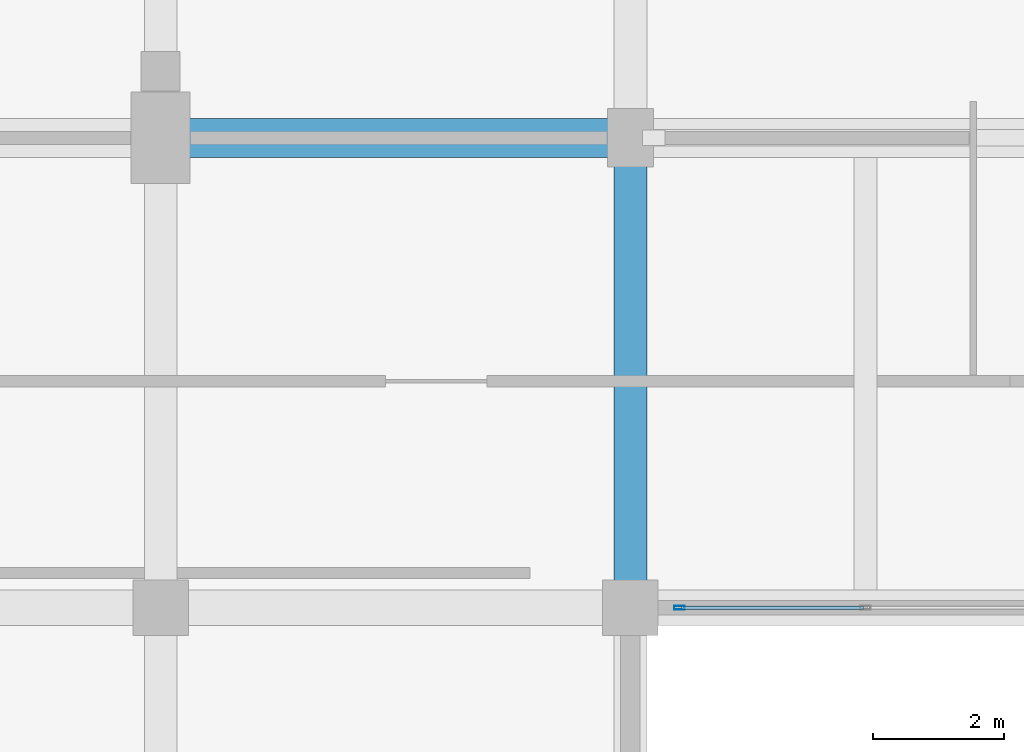
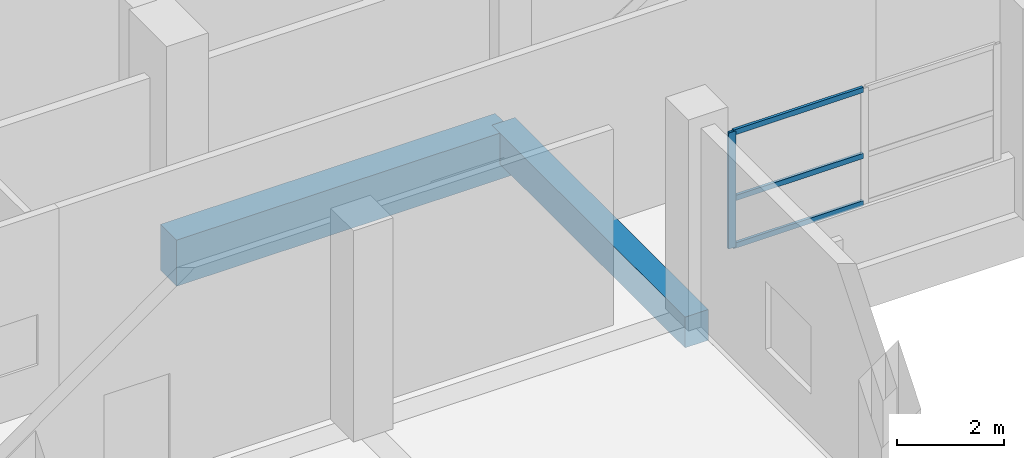
# One storey, part 94 of 181: 4 members, 2 beams, 1 element without a shape of its own.
"""IFC4 building model written with IfcOpenShell, lengths in metres."""

from ifc_helpers import new_model, si_unit, direction, frame, origin, origin_2d, place, context, subcontext, project, spatial, rectangle, hollow_rectangle, extrude, material, layer, layer_set, material_profile, profile_set, type_object, element, aggregate, save


model = new_model("IFC4")

# Units and contexts
model_context = context("Model", 3, precision=1e-05, world=origin(), true_north=direction((0.0, 1.0)))
body_context = subcontext(model_context, "Body", "Model", "MODEL_VIEW")
ifc_project = project(units=[si_unit("LENGTHUNIT", "METRE"), si_unit("AREAUNIT", "SQUARE_METRE"), si_unit("VOLUMEUNIT", "CUBIC_METRE"), si_unit("PLANEANGLEUNIT", "RADIAN"), si_unit("MASSUNIT", "GRAM", prefix="KILO")], contexts=[model_context])

# Site, building, storey
site_placement = place(None, origin())
site = spatial("IfcSite", under=ifc_project, at=site_placement, CompositionType="ELEMENT")
building_placement = place(site_placement, origin())
building = spatial("IfcBuilding", under=site, at=building_placement, Name="Seraya Terrace Polytechnic", CompositionType="ELEMENT")
storey_placement = place(building_placement, frame((0.0, 0.0, 4.800048828125)))
storey = spatial("IfcBuildingStorey", under=building, at=storey_placement, Name="L01", CompositionType="ELEMENT", Elevation=4.800048828125)

# Beams
ifc_material_1 = material(Name="Concrete C40/50", Category="concrete")
ifc_material_profile_1 = material_profile(ifc_material_1, rectangle(XDim=0.60009765625, YDim=1.050048828125, at=origin_2d()), Name="RC 600x1050")
ifc_profile_set_1 = profile_set([ifc_material_profile_1], Name="Concrete C40/50")
beam_type_1 = type_object("IfcBeamType", Name="BM-01", PredefinedType="BEAM", material=ifc_profile_set_1)
beam_1_placement = place(storey_placement, frame((100.800048828125, 79.199951171875, -0.525146484375), z_axis=(1.0, 0.0, 0.0), x_axis=(0.0, 1.0, 0.0)))
element("IfcBeam", 1, at=beam_1_placement, inside=storey, type_object=beam_type_1, Name="Beam BM-01 L01 X (100.8..108.0, 79.2)", PredefinedType="BEAM", context=body_context, shape_type="SweptSolid", body=[
    extrude(rectangle(XDim=0.60009765625, YDim=1.050048828125, at=origin_2d()), origin(), (0.0, 0.0, 1.0), 7.199951171875),
])
ifc_material_profile_2 = material_profile(ifc_material_1, rectangle(XDim=0.5, YDim=0.699951171875, at=origin_2d()), Name="RC 500x700")
ifc_profile_set_2 = profile_set([ifc_material_profile_2], Name="Concrete C40/50")
beam_type_2 = type_object("IfcBeamType", Name="BM-07", PredefinedType="BEAM", material=ifc_profile_set_2)
beam_2_placement = place(storey_placement, frame((108.0, 72.0, -0.35009765625), z_axis=(0.0, 1.0, 0.0), x_axis=(-1.0, 0.0, 0.0)))
element("IfcBeam", 2, at=beam_2_placement, inside=storey, type_object=beam_type_2, Name="Beam BM-07 L01 Y (108.0, 72.0..79.2)", PredefinedType="BEAM", context=body_context, shape_type="SweptSolid", body=[
    extrude(rectangle(XDim=0.5, YDim=0.699951171875, at=origin_2d()), origin(), (0.0, 0.0, 1.0), 7.199951171875),
])

# Curtain wall, members
ifc_material_2 = material(Name="Anodised aluminium EN AW-6063 T6", Category="aluminium")
ifc_layer = layer(ifc_material_2, 0.179931640625, Name="CW-14")
ifc_layer_set = layer_set([ifc_layer], Name="Anodised aluminium EN AW-6063 T6")
curtain_wall_type = type_object("IfcCurtainWallType", Name="CW-14", PredefinedType="NOTDEFINED", material=ifc_layer_set)
curtain_wall_placement = place(storey_placement, origin())
curtain_wall = element("IfcCurtainWall", 3, at=curtain_wall_placement, inside=storey, type_object=curtain_wall_type, Name="Unitised curtain wall CW-14 (CW-L01-050)", PredefinedType="NOTDEFINED")
ifc_material_profile_3 = material_profile(ifc_material_2, hollow_rectangle(XDim=0.06005859375, YDim=0.159912109375, WallThickness=0.00341796875, at=origin_2d()), Name="RHS 160x60x3.5")
ifc_profile_set_3 = profile_set([ifc_material_profile_3], Name="Anodised aluminium EN AW-6063 T6")
member_type_1 = type_object("IfcMemberType", Name="CWM-02", PredefinedType="MULLION", material=ifc_profile_set_3)
member_1_placement = place(storey_placement, frame((108.75, 72.0, 1.239990234375), z_axis=(0.0, 0.0, 1.0), x_axis=(0.0, -1.0, 0.0)))
member_1 = element("IfcMember", 4, at=member_1_placement, type_object=member_type_1, Name="CW-14 mullion 3", PredefinedType="MULLION", context=body_context, shape_type="SweptSolid", body=[
    extrude(hollow_rectangle(XDim=0.06005859375, YDim=0.159912109375, WallThickness=0.00341796875, at=origin_2d()), origin(), (0.0, 0.0, 1.0), 2.639892578125),
])
ifc_material_profile_4 = material_profile(ifc_material_2, hollow_rectangle(XDim=0.06005859375, YDim=0.1201171875, WallThickness=0.003173828125, at=origin_2d()), Name="RHS 120x60x3.2")
ifc_profile_set_4 = profile_set([ifc_material_profile_4], Name="Anodised aluminium EN AW-6063 T6")
member_type_2 = type_object("IfcMemberType", Name="CWT-02", PredefinedType="USERDEFINED", material=ifc_profile_set_4)
member_2_placement = place(storey_placement, frame((111.570068359375, 72.0, 1.27001953125), z_axis=(-1.0, 0.0, 0.0), x_axis=(0.0, -1.0, 0.0)))
member_2 = element("IfcMember", 5, at=member_2_placement, type_object=member_type_2, Name="CW-14 transom 2.1", ObjectType="TRANSOM", PredefinedType="USERDEFINED", context=body_context, shape_type="SweptSolid", body=[
    extrude(hollow_rectangle(XDim=0.06005859375, YDim=0.1201171875, WallThickness=0.003173828125, at=origin_2d()), origin(), (0.0, 0.0, 1.0), 2.7900390625),
])
member_3_placement = place(storey_placement, frame((111.570068359375, 72.0, 2.3486328125), z_axis=(-1.0, 0.0, 0.0), x_axis=(0.0, -1.0, 0.0)))
member_3 = element("IfcMember", 6, at=member_3_placement, type_object=member_type_2, Name="CW-14 transom 2.2", ObjectType="TRANSOM", PredefinedType="USERDEFINED", context=body_context, shape_type="SweptSolid", body=[
    extrude(hollow_rectangle(XDim=0.06005859375, YDim=0.1201171875, WallThickness=0.003173828125, at=origin_2d()), origin(), (0.0, 0.0, 1.0), 2.7900390625),
])
member_4_placement = place(storey_placement, frame((111.570068359375, 72.0, 3.849853515625), z_axis=(-1.0, 0.0, 0.0), x_axis=(0.0, -1.0, 0.0)))
member_4 = element("IfcMember", 7, at=member_4_placement, type_object=member_type_2, Name="CW-14 transom 2.3", ObjectType="TRANSOM", PredefinedType="USERDEFINED", context=body_context, shape_type="SweptSolid", body=[
    extrude(hollow_rectangle(XDim=0.06005859375, YDim=0.1201171875, WallThickness=0.003173828125, at=origin_2d()), origin(), (0.0, 0.0, 1.0), 2.7900390625),
])
aggregate(curtain_wall, [member_1, member_2, member_3, member_4])

save(model, "model.ifc")
